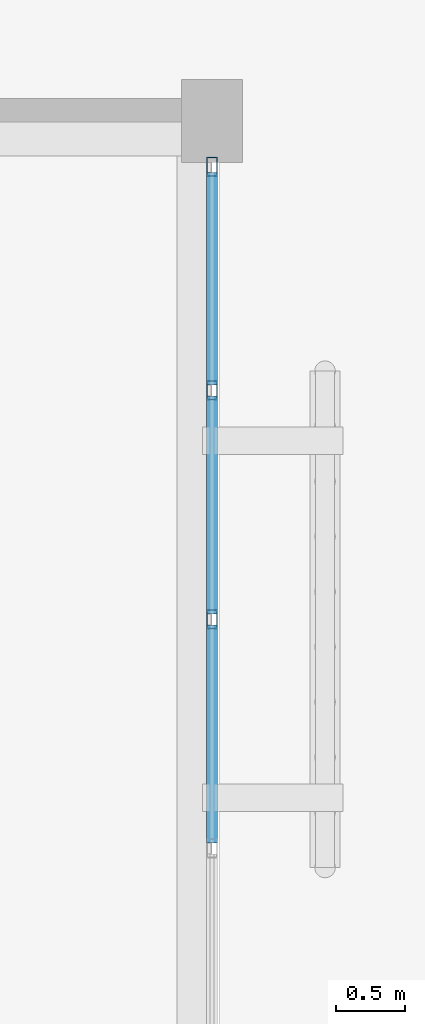
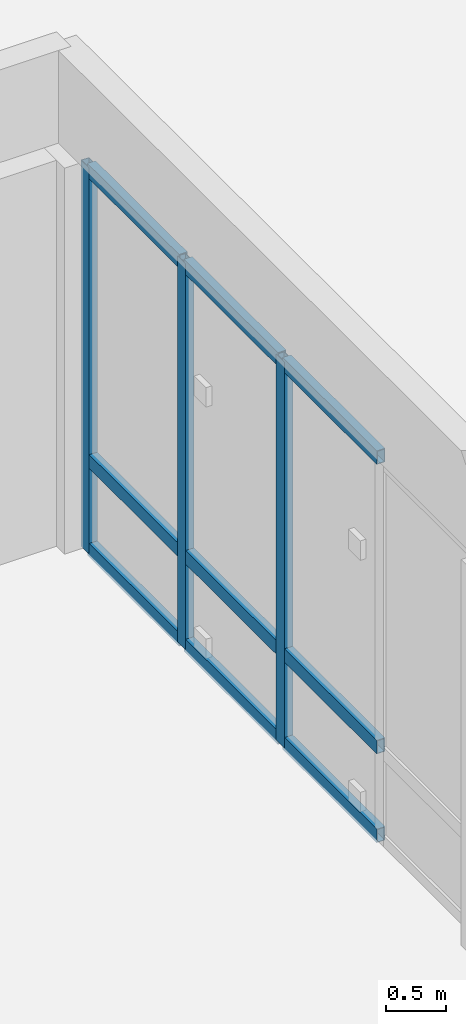
# One storey, part 5 of 11: 12 members, 1 element without a shape of its own.
"""IFC4 building model written with IfcOpenShell, lengths in metres."""

from ifc_helpers import new_model, si_unit, direction, frame, origin, origin_2d, place, context, subcontext, project, spatial, hollow_rectangle, extrude, material, layer, layer_set, material_profile, profile_set, type_object, element, aggregate, save


model = new_model("IFC4")

# Units and contexts
model_context = context("Model", 3, precision=1e-05, world=origin(), true_north=direction((0.0, 1.0)))
body_context = subcontext(model_context, "Body", "Model", "MODEL_VIEW")
ifc_project = project(units=[si_unit("LENGTHUNIT", "METRE"), si_unit("AREAUNIT", "SQUARE_METRE"), si_unit("VOLUMEUNIT", "CUBIC_METRE"), si_unit("PLANEANGLEUNIT", "RADIAN"), si_unit("MASSUNIT", "GRAM", prefix="KILO")], contexts=[model_context])

# Site, building, storey
site_placement = place(None, origin())
site = spatial("IfcSite", under=ifc_project, at=site_placement, CompositionType="ELEMENT")
building_placement = place(site_placement, origin())
building = spatial("IfcBuilding", under=site, at=building_placement, Name="Mazaris Harbour Polytechnic", CompositionType="ELEMENT")
storey_placement = place(building_placement, frame((0.0, 0.0, 22.199951171875)))
storey = spatial("IfcBuildingStorey", under=building, at=storey_placement, Name="L05", CompositionType="ELEMENT", Elevation=22.199951171875)

# Curtain wall, members
ifc_material_1 = material(Name="Anodised Bronze Aluminium and Low-E Glass", Category="aluminium")
ifc_layer = layer(ifc_material_1, 0.159912109375, Name="Anodised Bronze Aluminium and Low-E Glass")
ifc_layer_set = layer_set([ifc_layer], Name="Anodised Bronze Aluminium and Low-E Glass")
curtain_wall_type = type_object("IfcCurtainWallType", Name="Cloister Court Curtain Wall", PredefinedType="NOTDEFINED", material=ifc_layer_set)
curtain_wall_placement = place(storey_placement, origin())
curtain_wall = element("IfcCurtainWall", 1, at=curtain_wall_placement, inside=storey, type_object=curtain_wall_type, Name="V4 L05 Curtain Wall 182", PredefinedType="NOTDEFINED")
ifc_material_2 = material(Name="Anodised Bronze Steel S355", Category="steel")
ifc_material_profile_1 = material_profile(ifc_material_2, hollow_rectangle(XDim=0.080078125, YDim=0.139892578125, WallThickness=0.00634765625, at=origin_2d()), Name="RHS 80x140x6.3")
ifc_profile_set_1 = profile_set([ifc_material_profile_1], Name="Anodised Bronze Steel S355")
member_type_1 = type_object("IfcMemberType", Name="Curtain Mullion RHS80x140", PredefinedType="MULLION", material=ifc_profile_set_1)
member_1_placement = place(storey_placement, frame((36.0, 60.867919921875, 0.0), z_axis=(0.0, 0.0, 1.0), x_axis=(1.0, 0.0, 0.0)))
member_1 = element("IfcMember", 2, at=member_1_placement, type_object=member_type_1, Name="CW-02 mullion 1", PredefinedType="MULLION", context=body_context, shape_type="SweptSolid", body=[
    extrude(hollow_rectangle(XDim=0.080078125, YDim=0.139892578125, WallThickness=0.00634765625, at=origin_2d()), origin(), (0.0, 0.0, 1.0), 3.9599609375),
])
member_2_placement = place(storey_placement, frame((36.0, 59.24658203125, 0.0), z_axis=(0.0, 0.0, 1.0), x_axis=(1.0, 0.0, 0.0)))
member_2 = element("IfcMember", 3, at=member_2_placement, type_object=member_type_1, Name="CW-02 mullion 2", PredefinedType="MULLION", context=body_context, shape_type="SweptSolid", body=[
    extrude(hollow_rectangle(XDim=0.080078125, YDim=0.139892578125, WallThickness=0.00634765625, at=origin_2d()), origin(), (0.0, 0.0, 1.0), 3.9599609375),
])
member_3_placement = place(storey_placement, frame((36.0, 57.5849609375, 0.0), z_axis=(0.0, 0.0, 1.0), x_axis=(1.0, 0.0, 0.0)))
member_3 = element("IfcMember", 4, at=member_3_placement, type_object=member_type_1, Name="CW-02 mullion 3", PredefinedType="MULLION", context=body_context, shape_type="SweptSolid", body=[
    extrude(hollow_rectangle(XDim=0.080078125, YDim=0.139892578125, WallThickness=0.00634765625, at=origin_2d()), origin(), (0.0, 0.0, 1.0), 3.9599609375),
])
ifc_material_3 = material(Name="Anodised Bronze Steel S355", Category="steel")
ifc_material_profile_2 = material_profile(ifc_material_3, hollow_rectangle(XDim=0.080078125, YDim=0.139892578125, WallThickness=0.00634765625, at=origin_2d()), Name="RHS 80x140x6.3")
ifc_profile_set_2 = profile_set([ifc_material_profile_2], Name="Anodised Bronze Steel S355")
member_type_2 = type_object("IfcMemberType", Name="Curtain Transom RHS80x140", PredefinedType="USERDEFINED", material=ifc_profile_set_2)
member_4_placement = place(storey_placement, frame((36.0, 60.827880859375, 0.0400390625), z_axis=(0.0, -1.0, 0.0), x_axis=(1.0, 0.0, 0.0)))
member_4 = element("IfcMember", 5, at=member_4_placement, type_object=member_type_2, Name="CW-02 transom 1.1", ObjectType="TRANSOM", PredefinedType="USERDEFINED", context=body_context, shape_type="SweptSolid", body=[
    extrude(hollow_rectangle(XDim=0.080078125, YDim=0.139892578125, WallThickness=0.00634765625, at=origin_2d()), origin(), (0.0, 0.0, 1.0), 1.541259765625),
])
member_5_placement = place(storey_placement, frame((36.0, 60.827880859375, 0.949951171875), z_axis=(0.0, -1.0, 0.0), x_axis=(1.0, 0.0, 0.0)))
member_5 = element("IfcMember", 6, at=member_5_placement, type_object=member_type_2, Name="CW-02 transom 1.2", ObjectType="TRANSOM", PredefinedType="USERDEFINED", context=body_context, shape_type="SweptSolid", body=[
    extrude(hollow_rectangle(XDim=0.080078125, YDim=0.139892578125, WallThickness=0.00634765625, at=origin_2d()), origin(), (0.0, 0.0, 1.0), 1.541259765625),
])
member_6_placement = place(storey_placement, frame((36.0, 60.827880859375, 3.920166015625), z_axis=(0.0, -1.0, 0.0), x_axis=(1.0, 0.0, 0.0)))
member_6 = element("IfcMember", 7, at=member_6_placement, type_object=member_type_2, Name="CW-02 transom 1.3", ObjectType="TRANSOM", PredefinedType="USERDEFINED", context=body_context, shape_type="SweptSolid", body=[
    extrude(hollow_rectangle(XDim=0.080078125, YDim=0.139892578125, WallThickness=0.00634765625, at=origin_2d()), origin(), (0.0, 0.0, 1.0), 1.541259765625),
])
member_7_placement = place(storey_placement, frame((36.0, 59.20654296875, 0.0400390625), z_axis=(0.0, -1.0, 0.0), x_axis=(1.0, 0.0, 0.0)))
member_7 = element("IfcMember", 8, at=member_7_placement, type_object=member_type_2, Name="CW-02 transom 2.1", ObjectType="TRANSOM", PredefinedType="USERDEFINED", context=body_context, shape_type="SweptSolid", body=[
    extrude(hollow_rectangle(XDim=0.080078125, YDim=0.139892578125, WallThickness=0.00634765625, at=origin_2d()), origin(), (0.0, 0.0, 1.0), 1.58154296875),
])
member_8_placement = place(storey_placement, frame((36.0, 59.20654296875, 0.949951171875), z_axis=(0.0, -1.0, 0.0), x_axis=(1.0, 0.0, 0.0)))
member_8 = element("IfcMember", 9, at=member_8_placement, type_object=member_type_2, Name="CW-02 transom 2.2", ObjectType="TRANSOM", PredefinedType="USERDEFINED", context=body_context, shape_type="SweptSolid", body=[
    extrude(hollow_rectangle(XDim=0.080078125, YDim=0.139892578125, WallThickness=0.00634765625, at=origin_2d()), origin(), (0.0, 0.0, 1.0), 1.58154296875),
])
member_9_placement = place(storey_placement, frame((36.0, 59.20654296875, 3.920166015625), z_axis=(0.0, -1.0, 0.0), x_axis=(1.0, 0.0, 0.0)))
member_9 = element("IfcMember", 10, at=member_9_placement, type_object=member_type_2, Name="CW-02 transom 2.3", ObjectType="TRANSOM", PredefinedType="USERDEFINED", context=body_context, shape_type="SweptSolid", body=[
    extrude(hollow_rectangle(XDim=0.080078125, YDim=0.139892578125, WallThickness=0.00634765625, at=origin_2d()), origin(), (0.0, 0.0, 1.0), 1.58154296875),
])
member_10_placement = place(storey_placement, frame((36.0, 57.544921875, 0.0400390625), z_axis=(0.0, -1.0, 0.0), x_axis=(1.0, 0.0, 0.0)))
member_10 = element("IfcMember", 11, at=member_10_placement, type_object=member_type_2, Name="CW-02 transom 3.1", ObjectType="TRANSOM", PredefinedType="USERDEFINED", context=body_context, shape_type="SweptSolid", body=[
    extrude(hollow_rectangle(XDim=0.080078125, YDim=0.139892578125, WallThickness=0.00634765625, at=origin_2d()), origin(), (0.0, 0.0, 1.0), 1.58154296875),
])
member_11_placement = place(storey_placement, frame((36.0, 57.544921875, 0.949951171875), z_axis=(0.0, -1.0, 0.0), x_axis=(1.0, 0.0, 0.0)))
member_11 = element("IfcMember", 12, at=member_11_placement, type_object=member_type_2, Name="CW-02 transom 3.2", ObjectType="TRANSOM", PredefinedType="USERDEFINED", context=body_context, shape_type="SweptSolid", body=[
    extrude(hollow_rectangle(XDim=0.080078125, YDim=0.139892578125, WallThickness=0.00634765625, at=origin_2d()), origin(), (0.0, 0.0, 1.0), 1.58154296875),
])
member_12_placement = place(storey_placement, frame((36.0, 57.544921875, 3.920166015625), z_axis=(0.0, -1.0, 0.0), x_axis=(1.0, 0.0, 0.0)))
member_12 = element("IfcMember", 13, at=member_12_placement, type_object=member_type_2, Name="CW-02 transom 3.3", ObjectType="TRANSOM", PredefinedType="USERDEFINED", context=body_context, shape_type="SweptSolid", body=[
    extrude(hollow_rectangle(XDim=0.080078125, YDim=0.139892578125, WallThickness=0.00634765625, at=origin_2d()), origin(), (0.0, 0.0, 1.0), 1.58154296875),
])
aggregate(curtain_wall, [member_1, member_2, member_3, member_4, member_5, member_6, member_7, member_8, member_9, member_10, member_11, member_12])

save(model, "model.ifc")
